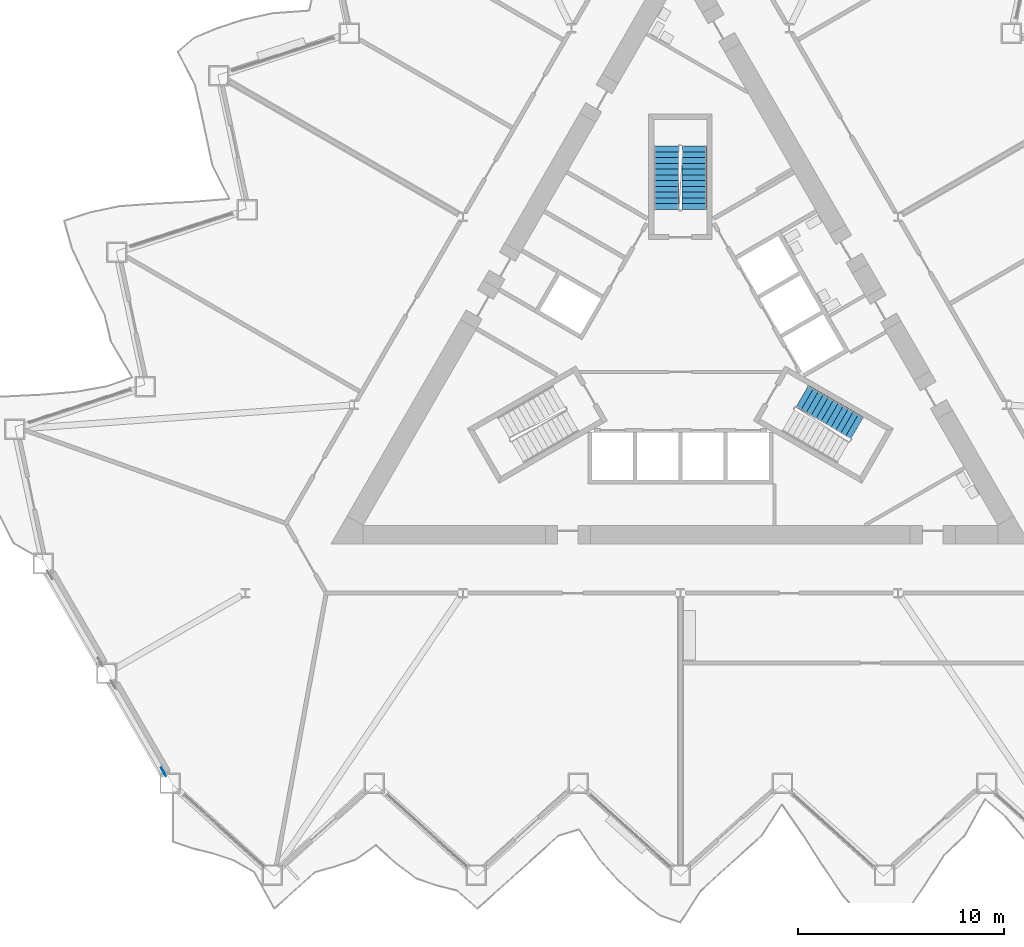
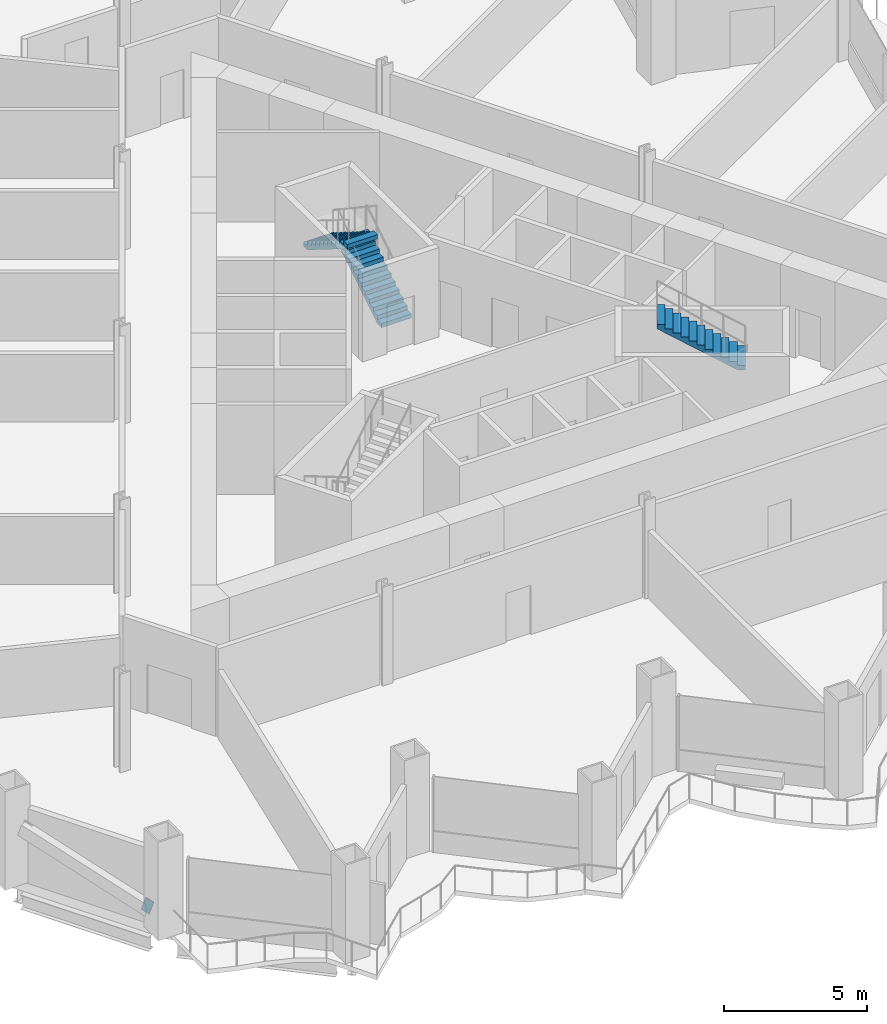
# One storey, part 13 of 21: 3 stair flights, 1 discrete accessory, 2 elements without a shape of their own.
"""IFC4 building model written with IfcOpenShell, lengths in metres."""

from ifc_helpers import new_model, si_unit, direction, frame, origin, origin_2d, place, context, subcontext, project, spatial, polyline, rectangle, outline, extrude, material, material_profile, profile_set, type_object, element, aggregate, save


model = new_model("IFC4")

# Units and contexts
model_context = context("Model", 3, precision=1e-05, world=origin(), true_north=direction((0.0, 1.0)))
body_context = subcontext(model_context, "Body", "Model", "MODEL_VIEW")
ifc_project = project(units=[si_unit("LENGTHUNIT", "METRE"), si_unit("AREAUNIT", "SQUARE_METRE"), si_unit("VOLUMEUNIT", "CUBIC_METRE"), si_unit("PLANEANGLEUNIT", "RADIAN"), si_unit("MASSUNIT", "GRAM", prefix="KILO")], contexts=[model_context])

# Site, building, storey
site_placement = place(None, origin())
site = spatial("IfcSite", under=ifc_project, at=site_placement, CompositionType="ELEMENT")
building_placement = place(site_placement, origin())
building = spatial("IfcBuilding", under=site, at=building_placement, Name="Cormorant Prow Tower", CompositionType="ELEMENT")
storey_placement = place(building_placement, frame((0.0, 0.0, 80.39990234375)))
storey = spatial("IfcBuildingStorey", under=building, at=storey_placement, Name="L17", CompositionType="ELEMENT", Elevation=80.39990234375)

# Stair, stair flight
ifc_material_1 = material(Name="Exit stair 24 risers")
stair_type = type_object("IfcStairType", Name="Exit stair 24 risers", PredefinedType="HALF_TURN_STAIR", material=ifc_material_1)
stair_1_placement = place(storey_placement, origin())
stair_1 = element("IfcStair", 1, at=stair_1_placement, inside=storey, type_object=stair_type, Name="L17 Exit stair ST2", PredefinedType="HALF_TURN_STAIR")
ifc_material_2 = material(Name="Concrete 5000 psi", Category="concrete")
stair_flight_type = type_object("IfcStairFlightType", Name="Stair flight 1219", PredefinedType="STRAIGHT", material=ifc_material_2)
stair_flight_1_placement = place(storey_placement, frame((8.6005859375, -4.175048828125, 2.10009765625), z_axis=(0.0, 0.0, 1.0), x_axis=(-0.866025403784, 0.5, 0.0)))
stair_flight_1 = element("IfcStairFlight", 2, at=stair_flight_1_placement, type_object=stair_flight_type, Name="ST2 flight 2", NumberOfRisers=12, NumberOfTreads=11, PredefinedType="STRAIGHT", RiserHeight=0.175, TreadLength=0.28, context=body_context, shape_type="SweptSolid", body=[
    extrude(outline(polyline([(0.0, 0.0), (0.0, 0.175048828125), (0.280029296875, 0.175048828125), (0.280029296875, 0.35009765625), (0.56005859375, 0.35009765625), (0.56005859375, 0.52490234375), (0.840087890625, 0.52490234375), (0.840087890625, 0.699951171875), (1.1201171875, 0.699951171875), (1.1201171875, 0.875), (1.39990234375, 0.875), (1.39990234375, 1.050048828125), (1.679931640625, 1.050048828125), (1.679931640625, 1.22509765625), (1.9599609375, 1.22509765625), (1.9599609375, 1.39990234375), (2.239990234375, 1.39990234375), (2.239990234375, 1.574951171875), (2.52001953125, 1.574951171875), (2.52001953125, 1.75), (2.800048828125, 1.75), (2.800048828125, 1.925048828125), (3.080078125, 1.925048828125), (3.080078125, 2.10009765625), (3.080078125, 1.748291015625), (0.28271484375, 0.0), (0.0, 0.0)])), frame((0.0, 0.609375, 0.0), z_axis=(0.0, -1.0, 0.0), x_axis=(1.0, 0.0, 0.0)), (0.0, 0.0, 1.0), 1.218994140625),
])
aggregate(stair_1, [stair_flight_1])

# Stair, stair flights
stair_2_placement = place(storey_placement, origin())
stair_2 = element("IfcStair", 3, at=stair_2_placement, inside=storey, type_object=stair_type, Name="L17 Exit stair ST3", PredefinedType="HALF_TURN_STAIR")
stair_flight_2_placement = place(storey_placement, frame((0.6845703125, 6.455810546875, 0.0), z_axis=(0.0, 0.0, 1.0), x_axis=(0.0, 1.0, 0.0)))
stair_flight_2 = element("IfcStairFlight", 4, at=stair_flight_2_placement, type_object=stair_flight_type, Name="ST3 flight 1", NumberOfRisers=12, NumberOfTreads=11, PredefinedType="STRAIGHT", RiserHeight=0.175, TreadLength=0.28, context=body_context, shape_type="SweptSolid", body=[
    extrude(outline(polyline([(0.0, 0.0), (0.0, 0.175048828125), (0.280029296875, 0.175048828125), (0.280029296875, 0.35009765625), (0.56005859375, 0.35009765625), (0.56005859375, 0.52490234375), (0.840087890625, 0.52490234375), (0.840087890625, 0.699951171875), (1.1201171875, 0.699951171875), (1.1201171875, 0.875), (1.39990234375, 0.875), (1.39990234375, 1.050048828125), (1.679931640625, 1.050048828125), (1.679931640625, 1.22509765625), (1.9599609375, 1.22509765625), (1.9599609375, 1.39990234375), (2.239990234375, 1.39990234375), (2.239990234375, 1.574951171875), (2.52001953125, 1.574951171875), (2.52001953125, 1.75), (2.800048828125, 1.75), (2.800048828125, 1.925048828125), (3.080078125, 1.925048828125), (3.080078125, 2.10009765625), (3.080078125, 1.748291015625), (0.28271484375, 0.0), (0.0, 0.0)])), frame((0.0, 0.609375, 0.0), z_axis=(0.0, -1.0, 0.0), x_axis=(1.0, 0.0, 0.0)), (0.0, 0.0, 1.0), 1.218994140625),
])
stair_flight_3_placement = place(storey_placement, frame((-0.6845703125, 9.535888671875, 2.10009765625), z_axis=(0.0, 0.0, 1.0), x_axis=(0.0, -1.0, 0.0)))
stair_flight_3 = element("IfcStairFlight", 5, at=stair_flight_3_placement, type_object=stair_flight_type, Name="ST3 flight 2", NumberOfRisers=12, NumberOfTreads=11, PredefinedType="STRAIGHT", RiserHeight=0.175, TreadLength=0.28, context=body_context, shape_type="SweptSolid", body=[
    extrude(outline(polyline([(0.0, 0.0), (0.0, 0.175048828125), (0.280029296875, 0.175048828125), (0.280029296875, 0.35009765625), (0.56005859375, 0.35009765625), (0.56005859375, 0.52490234375), (0.840087890625, 0.52490234375), (0.840087890625, 0.699951171875), (1.1201171875, 0.699951171875), (1.1201171875, 0.875), (1.39990234375, 0.875), (1.39990234375, 1.050048828125), (1.679931640625, 1.050048828125), (1.679931640625, 1.22509765625), (1.9599609375, 1.22509765625), (1.9599609375, 1.39990234375), (2.239990234375, 1.39990234375), (2.239990234375, 1.574951171875), (2.52001953125, 1.574951171875), (2.52001953125, 1.75), (2.800048828125, 1.75), (2.800048828125, 1.925048828125), (3.080078125, 1.925048828125), (3.080078125, 2.10009765625), (3.080078125, 1.748291015625), (0.28271484375, 0.0), (0.0, 0.0)])), frame((0.0, 0.609375, 0.0), z_axis=(0.0, -1.0, 0.0), x_axis=(1.0, 0.0, 0.0)), (0.0, 0.0, 1.0), 1.218994140625),
])
aggregate(stair_2, [stair_flight_2, stair_flight_3])

# Discrete accessory
ifc_material_3 = material(Name="Structural steel ASTM A500 Gr C", Category="steel")
ifc_material_profile = material_profile(ifc_material_3, rectangle(XDim=0.031982421875, YDim=0.60791015625, at=origin_2d()), Name="Gusset plate 32x608")
ifc_profile_set = profile_set([ifc_material_profile], Name="Structural steel ASTM A500 Gr C")
discrete_accessory_type = type_object("IfcDiscreteAccessoryType", Name="Gusset plate 32x608", PredefinedType="BRACKET", material=ifc_profile_set)
discrete_accessory_placement = place(storey_placement, frame((-25.232421875, -20.763427734375, 0.859375), z_axis=(0.475651503409, -0.824369614413, -0.306871937683), x_axis=(0.866161185697, 0.499764745047, 0.0)))
element("IfcDiscreteAccessory", 6, at=discrete_accessory_placement, inside=storey, type_object=discrete_accessory_type, Name="Gusset plate GP1 L17.WSW01.g0", PredefinedType="BRACKET", context=body_context, shape_type="SweptSolid", body=[
    extrude(rectangle(XDim=0.031982421875, YDim=0.60791015625, at=origin_2d()), origin(), (0.0, 0.0, 1.0), 0.35009765625),
])

save(model, "model.ifc")
